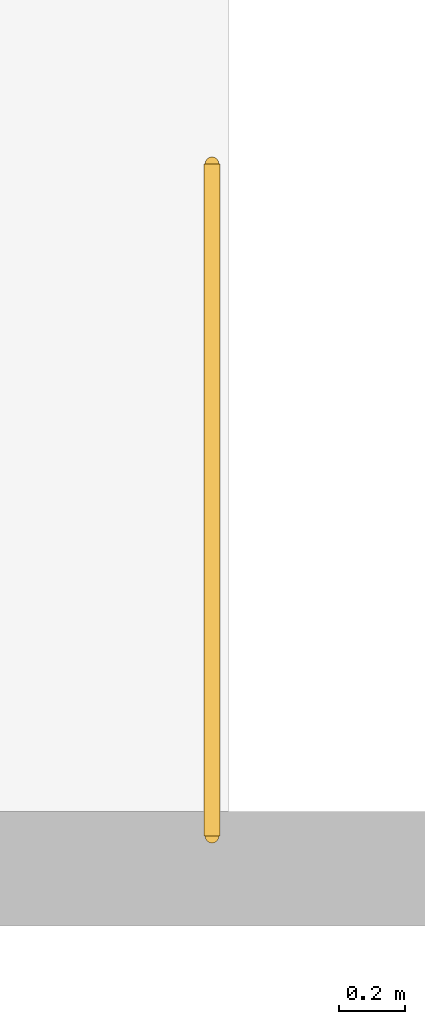
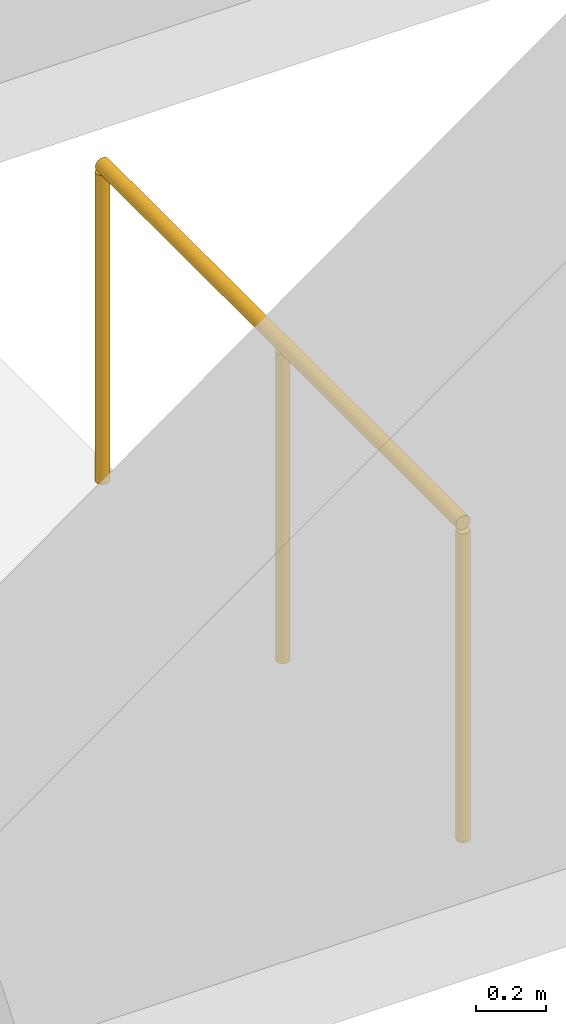
# One storey, part 24 of 27: 1 railing.
"""IFC4 building model written with IfcOpenShell, lengths in metres."""

from ifc_helpers import new_model, si_unit, direction, frame, origin, origin_2d, place, context, subcontext, project, spatial, circle, extrude, material, type_object, element, save


model = new_model("IFC4")

# Units and contexts
model_context = context("Model", 3, precision=1e-05, world=origin(), true_north=direction((0.0, 1.0)))
body_context = subcontext(model_context, "Body", "Model", "MODEL_VIEW")
ifc_project = project(units=[si_unit("LENGTHUNIT", "METRE"), si_unit("AREAUNIT", "SQUARE_METRE"), si_unit("VOLUMEUNIT", "CUBIC_METRE"), si_unit("PLANEANGLEUNIT", "RADIAN"), si_unit("MASSUNIT", "GRAM", prefix="KILO")], contexts=[model_context])

# Site, building, storey
site_placement = place(None, origin())
site = spatial("IfcSite", under=ifc_project, at=site_placement, CompositionType="ELEMENT")
building_placement = place(site_placement, origin())
building = spatial("IfcBuilding", under=site, at=building_placement, Name="Sollismere Congress Hotel", CompositionType="ELEMENT")
storey_placement = place(building_placement, frame((0.0, 0.0, 27.0)))
storey = spatial("IfcBuildingStorey", under=building, at=storey_placement, Name="L06", CompositionType="ELEMENT", Elevation=27.0)

# Railing
ifc_material = material(Name="Steel ASTM A500 Grade C", Category="steel")
railing_type = type_object("IfcRailingType", Name="RL-GRD112", PredefinedType="GUARDRAIL", material=ifc_material)
railing_placement = place(storey_placement, frame((52.800048828125, 14.449951171875, 0.0)))
element("IfcRailing", 1, at=railing_placement, inside=storey, type_object=railing_type, Name="RLG-RG-ST-06-TOP1", PredefinedType="GUARDRAIL", context=body_context, shape_type="SweptSolid", body=[
    extrude(circle(Radius=0.02392578125, at=origin_2d()), frame((0.0, 0.0, 1.09619140625), z_axis=(0.0, 1.0, 0.0), x_axis=(-1.0, 0.0, 0.0)), (0.0, 0.0, 1.0), 2.050048828125),
    extrude(circle(Radius=0.02099609375, at=origin_2d()), origin(), (0.0, 0.0, 1.0), 1.072021484375),
    extrude(circle(Radius=0.02099609375, at=origin_2d()), frame((0.0, 1.02490234375, 0.0)), (0.0, 0.0, 1.0), 1.072021484375),
    extrude(circle(Radius=0.02099609375, at=origin_2d()), frame((0.0, 2.050048828125, 0.0)), (0.0, 0.0, 1.0), 1.072021484375),
])

save(model, "model.ifc")
